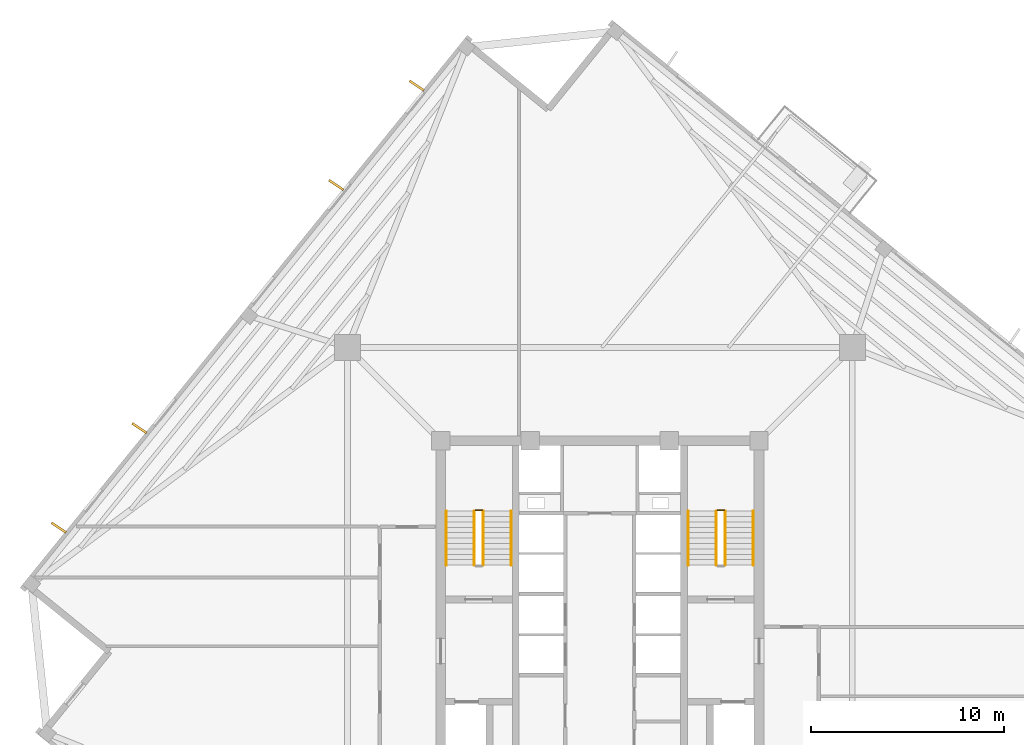
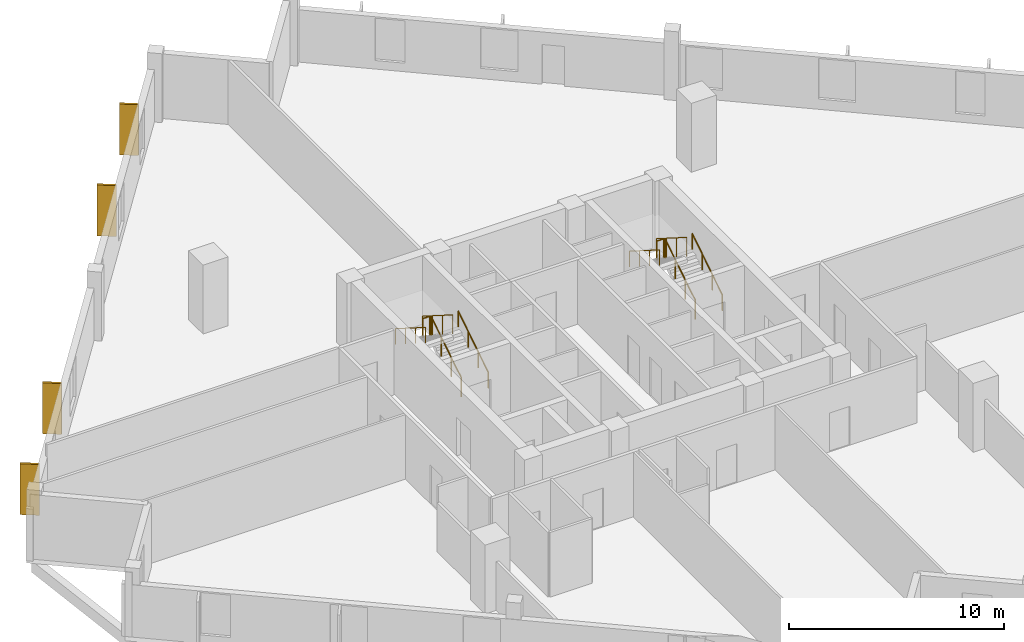
# One storey, part 9 of 10: 10 railings, 4 coverings.
"""IFC4 building model written with IfcOpenShell, lengths in metres."""

from ifc_helpers import new_model, si_unit, direction, frame, origin, origin_2d, place, context, subcontext, project, spatial, rectangle, circle, extrude, source, transform, mapped, material, layer, layer_set, type_object, element, save


model = new_model("IFC4")

# Units and contexts
model_context = context("Model", 3, precision=1e-05, world=origin(), true_north=direction((0.0, 1.0)))
body_context = subcontext(model_context, "Body", "Model", "MODEL_VIEW")
ifc_project = project(units=[si_unit("LENGTHUNIT", "METRE"), si_unit("AREAUNIT", "SQUARE_METRE"), si_unit("VOLUMEUNIT", "CUBIC_METRE"), si_unit("PLANEANGLEUNIT", "RADIAN"), si_unit("MASSUNIT", "GRAM", prefix="KILO"), si_unit("THERMODYNAMICTEMPERATUREUNIT", "KELVIN")], contexts=[model_context])

# Site, building, storey
site_placement = place(None, origin())
site = spatial("IfcSite", under=ifc_project, at=site_placement, CompositionType="ELEMENT")
building_placement = place(site_placement, origin())
building = spatial("IfcBuilding", under=site, at=building_placement, Name="Kosmvard Interchange Tower", CompositionType="ELEMENT")
storey_placement = place(building_placement, frame((0.0, 0.0, 217.300048828125)))
storey = spatial("IfcBuildingStorey", under=building, at=storey_placement, Name="L52", CompositionType="ELEMENT", Elevation=217.300048828125)

# Coverings
ifc_material_1 = material(Name="Architectural anodised aluminium", Category="aluminium")
ifc_layer = layer(ifc_material_1, 0.1201171875, Name="Architectural anodised aluminium")
ifc_layer_set = layer_set([ifc_layer], Name="Architectural anodised aluminium")
covering_type = type_object("IfcCoveringType", Name="Rotating Vertical Sun-Breaker Fin 900x120 Aluminium", PredefinedType="CLADDING", material=ifc_layer_set)
shared_shape_1 = source(origin(), body_context, "Body", "SweptSolid", [
    extrude(rectangle(XDim=0.89990234375, YDim=0.1201171875, at=origin_2d()), origin(), (0.0, 0.0, 1.0), 2.8798828125),
])
for number, where, z_axis, x_axis, name in (
    (1, (-9.494384765625, 26.650146484375, 0.0400390625), (0.0, 0.0, 1.0), (-0.83079023485, 0.556585649903, 0.0), "L52 Rotating Vertical Sun-Breaker Fin 09"),
    (2, (-13.66748046875, 21.49658203125, 0.0400390625), (0.0, 0.0, 1.0), (-0.83079023485, 0.556585649903, 0.0), "L52 Rotating Vertical Sun-Breaker Fin 10"),
    (3, (-23.86865234375, 8.8994140625, 0.0400390625), (0.0, 0.0, 1.0), (-0.83079023485, 0.556585649903, 0.0), "L52 Rotating Vertical Sun-Breaker Fin 11"),
    (4, (-28.041748046875, 3.74609375, 0.0400390625), (0.0, 0.0, 1.0), (-0.83079023485, 0.556585649903, 0.0), "L52 Rotating Vertical Sun-Breaker Fin 12"),
):
    element("IfcCovering", number, at=place(storey_placement, frame(where, z_axis=z_axis, x_axis=x_axis)), inside=storey, type_object=covering_type, Name=name, PredefinedType="CLADDING", context=body_context, shape_type="MappedRepresentation", body=[
        mapped(shared_shape_1, transform((0.0, 0.0, 0.0), scale=1.0)),
    ])

# Railings
ifc_material_2 = material(Name="Steel S355", Category="steel")
railing_type_1 = type_object("IfcRailingType", Name="Stair & Terrace Safety Guardrail 1100 Steel", PredefinedType="GUARDRAIL", material=ifc_material_2)
shared_shape_2 = source(origin(), body_context, "Body", "SweptSolid", [
    extrude(circle(Radius=0.02392578125, at=origin_2d()), frame((0.0, 0.0, 1.076171875), z_axis=(-1.0, 0.0, 0.0), x_axis=(0.0, -1.0, 0.0)), (0.0, 0.0, 1.0), 0.35986328125),
    extrude(circle(Radius=0.02099609375, at=origin_2d()), origin(), (0.0, 0.0, 1.0), 1.052001953125),
    extrude(circle(Radius=0.02099609375, at=origin_2d()), frame((-0.35986328125, 0.0, 0.0)), (0.0, 0.0, 1.0), 1.052001953125),
])
for number, where, name in (
    (5, (-6.090087890625, 4.64990234375, 1.949951171875), "L52 ST-1 stair guard 2"),
    (6, (6.449951171875, 4.64990234375, 1.949951171875), "L52 ST-2 stair guard 2"),
):
    element("IfcRailing", number, at=place(storey_placement, frame(where)), inside=storey, type_object=railing_type_1, Name=name, PredefinedType="GUARDRAIL", context=body_context, shape_type="MappedRepresentation", body=[
        mapped(shared_shape_2, transform((0.0, 0.0, 0.0), scale=1.0)),
    ])
shared_shape_3 = source(origin(), body_context, "Body", "SweptSolid", [
    extrude(circle(Radius=0.02392578125, at=origin_2d()), frame((0.0, 0.0, 1.076171875), z_axis=(0.0, 0.844908973607, 0.534910110503), x_axis=(-1.0, 0.0, 0.0)), (0.0, 0.0, 1.0), 3.31396484375),
    extrude(circle(Radius=0.02099609375, at=origin_2d()), origin(), (0.0, 0.0, 1.0), 1.052001953125),
    extrude(circle(Radius=0.02099609375, at=origin_2d()), frame((0.0, 0.933349609375, 0.5908203125)), (0.0, 0.0, 1.0), 1.052001953125),
    extrude(circle(Radius=0.02099609375, at=origin_2d()), frame((0.0, 1.86669921875, 1.181884765625)), (0.0, 0.0, 1.0), 1.052001953125),
    extrude(circle(Radius=0.02099609375, at=origin_2d()), frame((0.0, 2.800048828125, 1.772705078125)), (0.0, 0.0, 1.0), 1.052001953125),
])
for number, where, name in (
    (7, (-6.0400390625, 1.800048828125, 0.17724609375), "L52 ST-1 stair guard 1"),
    (8, (6.5, 1.800048828125, 0.17724609375), "L52 ST-2 stair guard 1"),
):
    element("IfcRailing", number, at=place(storey_placement, frame(where)), inside=storey, type_object=railing_type_1, Name=name, PredefinedType="GUARDRAIL", context=body_context, shape_type="MappedRepresentation", body=[
        mapped(shared_shape_3, transform((0.0, 0.0, 0.0), scale=1.0)),
    ])
shared_shape_4 = source(origin(), body_context, "Body", "SweptSolid", [
    extrude(circle(Radius=0.02392578125, at=origin_2d()), frame((0.0, 0.0, 1.076171875), z_axis=(0.0, -0.844908973607, 0.534910110503), x_axis=(1.0, 0.0, 0.0)), (0.0, 0.0, 1.0), 3.31396484375),
    extrude(circle(Radius=0.02099609375, at=origin_2d()), origin(), (0.0, 0.0, 1.0), 1.052001953125),
    extrude(circle(Radius=0.02099609375, at=origin_2d()), frame((0.0, -0.933349609375, 0.5908203125)), (0.0, 0.0, 1.0), 1.052001953125),
    extrude(circle(Radius=0.02099609375, at=origin_2d()), frame((0.0, -1.86669921875, 1.181884765625)), (0.0, 0.0, 1.0), 1.052001953125),
    extrude(circle(Radius=0.02099609375, at=origin_2d()), frame((0.0, -2.800048828125, 1.772705078125)), (0.0, 0.0, 1.0), 1.052001953125),
])
for number, where, name in (
    (9, (-6.5, 4.60009765625, 2.127197265625), "L52 ST-1 stair guard 3"),
    (10, (6.0400390625, 4.60009765625, 2.127197265625), "L52 ST-2 stair guard 3"),
):
    element("IfcRailing", number, at=place(storey_placement, frame(where)), inside=storey, type_object=railing_type_1, Name=name, PredefinedType="GUARDRAIL", context=body_context, shape_type="MappedRepresentation", body=[
        mapped(shared_shape_4, transform((0.0, 0.0, 0.0), scale=1.0)),
    ])
railing_type_2 = type_object("IfcRailingType", Name="Wall-Mounted Stair Handrail 900 Steel", PredefinedType="HANDRAIL", material=ifc_material_2)
shared_shape_5 = source(origin(), body_context, "Body", "SweptSolid", [
    extrude(circle(Radius=0.02392578125, at=origin_2d()), frame((0.0, 0.0, 0.8759765625), z_axis=(0.0, 0.844908973607, 0.534910110503), x_axis=(-1.0, 0.0, 0.0)), (0.0, 0.0, 1.0), 3.31396484375),
    extrude(circle(Radius=0.02099609375, at=origin_2d()), origin(), (0.0, 0.0, 1.0), 0.851806640625),
    extrude(circle(Radius=0.02099609375, at=origin_2d()), frame((0.0, 0.933349609375, 0.5908203125)), (0.0, 0.0, 1.0), 0.851806640625),
    extrude(circle(Radius=0.02099609375, at=origin_2d()), frame((0.0, 1.86669921875, 1.181884765625)), (0.0, 0.0, 1.0), 0.851806640625),
    extrude(circle(Radius=0.02099609375, at=origin_2d()), frame((0.0, 2.800048828125, 1.772705078125)), (0.0, 0.0, 1.0), 0.851806640625),
])
for number, where, name in (
    (11, (-4.590087890625, 1.800048828125, 0.17724609375), "L52 ST-1 stair handrail 1"),
    (12, (7.949951171875, 1.800048828125, 0.17724609375), "L52 ST-2 stair handrail 1"),
):
    element("IfcRailing", number, at=place(storey_placement, frame(where)), inside=storey, type_object=railing_type_2, Name=name, PredefinedType="HANDRAIL", context=body_context, shape_type="MappedRepresentation", body=[
        mapped(shared_shape_5, transform((0.0, 0.0, 0.0), scale=1.0)),
    ])
shared_shape_6 = source(origin(), body_context, "Body", "SweptSolid", [
    extrude(circle(Radius=0.02392578125, at=origin_2d()), frame((0.0, 0.0, 0.8759765625), z_axis=(0.0, -0.844908973607, 0.534910110503), x_axis=(1.0, 0.0, 0.0)), (0.0, 0.0, 1.0), 3.31396484375),
    extrude(circle(Radius=0.02099609375, at=origin_2d()), origin(), (0.0, 0.0, 1.0), 0.851806640625),
    extrude(circle(Radius=0.02099609375, at=origin_2d()), frame((0.0, -0.933349609375, 0.5908203125)), (0.0, 0.0, 1.0), 0.851806640625),
    extrude(circle(Radius=0.02099609375, at=origin_2d()), frame((0.0, -1.86669921875, 1.181884765625)), (0.0, 0.0, 1.0), 0.851806640625),
    extrude(circle(Radius=0.02099609375, at=origin_2d()), frame((0.0, -2.800048828125, 1.772705078125)), (0.0, 0.0, 1.0), 0.851806640625),
])
for number, where, name in (
    (13, (-7.949951171875, 4.60009765625, 2.127197265625), "L52 ST-1 stair handrail 2"),
    (14, (4.590087890625, 4.60009765625, 2.127197265625), "L52 ST-2 stair handrail 2"),
):
    element("IfcRailing", number, at=place(storey_placement, frame(where)), inside=storey, type_object=railing_type_2, Name=name, PredefinedType="HANDRAIL", context=body_context, shape_type="MappedRepresentation", body=[
        mapped(shared_shape_6, transform((0.0, 0.0, 0.0), scale=1.0)),
    ])

save(model, "model.ifc")
